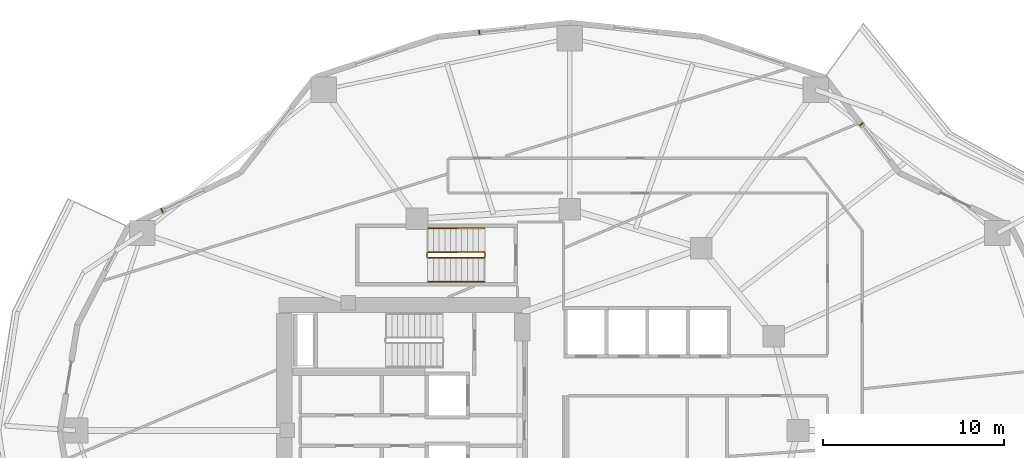
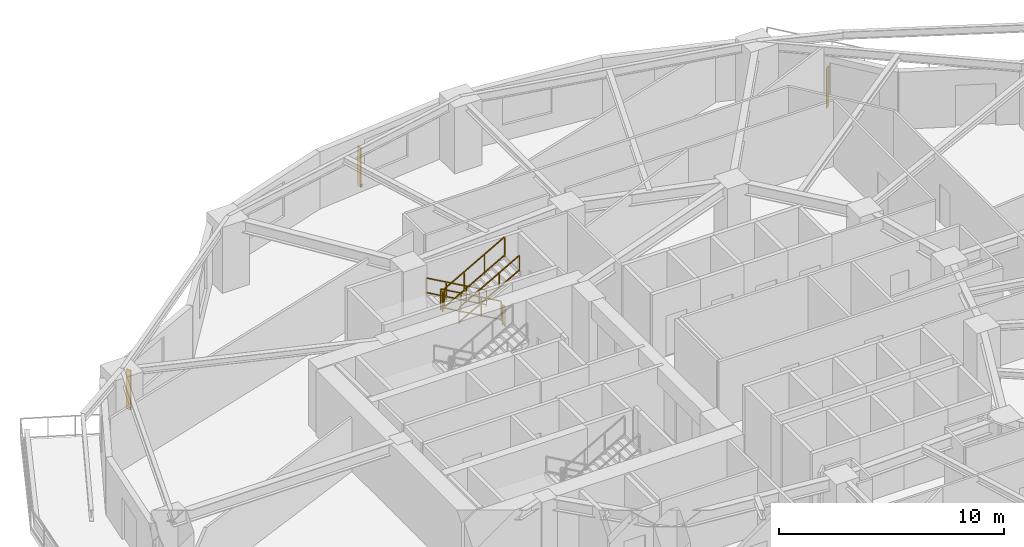
# One storey, part 13 of 14: 6 railings, 3 shading devices.
"""IFC4 building model written with IfcOpenShell, lengths in metres."""

import ifcopenshell
import ifcopenshell.guid

model = None  # the IFC model being written
_history = None  # IfcOwnerHistory: only IFC2X3 demands one
_inside = {}  # id of a spatial element -> (the spatial element, [elements in it])
_under = {}  # id of a project, library or spatial element -> (it, [spatial elements below it])
_declared = {}  # id of a project -> (the project, [libraries it declares])
_typed = {}  # id of a type object -> (the type object, [elements of that type])
_made_of = {}  # id of a material, layer set ... -> (it, [elements and type objects made of it])


def new_model(schema):
    """Start an empty IFC model of exactly this schema.

    Asked for "IFC4X3", IfcOpenShell would pick the latest addendum, in which some entities
    have other attributes; the version numbers below select the first issue.
    IFC2X3 requires an IfcOwnerHistory on every rooted entity: one is made here for all.
    """
    global model, _history
    if schema == "IFC4X3":
        model = ifcopenshell.file(schema_version=(4, 3, 0, 0))
    else:
        model = ifcopenshell.file(schema=schema)
    _inside.clear()
    _under.clear()
    _declared.clear()
    _typed.clear()
    _made_of.clear()
    _history = None
    if model.schema == "IFC2X3":
        org = make("IfcOrganization", Name="unknown")
        user = make(
            "IfcPersonAndOrganization",
            ThePerson=make("IfcPerson", FamilyName="unknown"),
            TheOrganization=org,
        )
        app = make(
            "IfcApplication",
            ApplicationDeveloper=org,
            Version="unknown",
            ApplicationFullName="unknown",
            ApplicationIdentifier="unknown",
        )
        _history = make(
            "IfcOwnerHistory",
            OwningUser=user,
            OwningApplication=app,
            ChangeAction="ADDED",
            CreationDate=0,
        )
    return model


def make(cls, **values):
    """One entity of the class cls with the attributes given. An attribute that is None is left unset."""
    return model.create_entity(
        cls, **{name: value for name, value in values.items() if value is not None}
    )


def rooted(cls, **values):
    """An entity with a GlobalId (a new one), such as an element, a storey or a relation."""
    return make(cls, GlobalId=ifcopenshell.guid.new(), OwnerHistory=_history, **values)


def si_unit(unit_type, name, prefix=None):
    """IfcSIUnit, for example si_unit("LENGTHUNIT", "METRE", prefix="MILLI")."""
    return make("IfcSIUnit", UnitType=unit_type, Prefix=prefix, Name=name)


def assignment(units):
    """IfcUnitAssignment: the units of a project."""
    return None if units is None else make("IfcUnitAssignment", Units=units)


def point(xyz):
    """IfcCartesianPoint."""
    return None if xyz is None else make("IfcCartesianPoint", Coordinates=xyz)


def direction(xyz):
    """IfcDirection."""
    return None if xyz is None else make("IfcDirection", DirectionRatios=xyz)


def frame(location, z_axis=None, x_axis=None):
    """IfcAxis2Placement3D, a coordinate frame: its origin and axes. An axis left out is left unset."""
    return make(
        "IfcAxis2Placement3D",
        Location=point(location),
        Axis=direction(z_axis),
        RefDirection=direction(x_axis),
    )


def frame_2d(location, x_axis=None):
    """IfcAxis2Placement2D, a coordinate frame in the plane: its origin and x axis."""
    return make(
        "IfcAxis2Placement2D", Location=point(location), RefDirection=direction(x_axis)
    )


def origin():
    """The frame at (0, 0, 0) with its axes left unset."""
    return frame((0.0, 0.0, 0.0))


def origin_2d():
    """The frame at (0, 0) in the plane with its x axis left unset."""
    return frame_2d((0.0, 0.0))


def place(relative_to, where):
    """IfcLocalPlacement: puts the frame where relative to a parent placement (None: the world)."""
    return make(
        "IfcLocalPlacement", PlacementRelTo=relative_to, RelativePlacement=where
    )


def context(
    kind, dimensions, precision=None, world=None, true_north=None, identifier=None
):
    """IfcGeometricRepresentationContext, for example the 3D "Model" context."""
    return make(
        "IfcGeometricRepresentationContext",
        ContextIdentifier=identifier,
        ContextType=kind,
        CoordinateSpaceDimension=dimensions,
        Precision=precision,
        WorldCoordinateSystem=world,
        TrueNorth=true_north,
    )


def subcontext(parent, identifier, kind, view, scale=None):
    """IfcGeometricRepresentationSubContext, for example "Body" below "Model"."""
    return make(
        "IfcGeometricRepresentationSubContext",
        ContextIdentifier=identifier,
        ContextType=kind,
        ParentContext=parent,
        TargetScale=scale,
        TargetView=view,
    )


def project(units=None, contexts=None):
    """IfcProject with its units and contexts."""
    return rooted(
        "IfcProject",
        Name="project",
        RepresentationContexts=contexts,
        UnitsInContext=assignment(units),
    )


def spatial(cls, under=None, at=None, **own):
    """A site, building, storey or space (cls), placed at a placement, below another one or the project."""
    s = rooted(cls, ObjectPlacement=at, **own)
    if under is not None:
        _under.setdefault(under.id(), (under, []))[1].append(s)
    return s


def profile(cls, at=None, kind="AREA", **sizes):
    """A parametric profile (cls). Its sizes go by their IFC names, for example OverallWidth=200.0."""
    return make(cls, ProfileType=kind, Position=at, **sizes)


def rectangle(**sizes):
    """IfcRectangleProfileDef."""
    return profile("IfcRectangleProfileDef", **sizes)


def extrude(swept, where, along, depth):
    """IfcExtrudedAreaSolid: the profile swept, set in the frame where, extruded along a direction by depth."""
    return make(
        "IfcExtrudedAreaSolid",
        SweptArea=swept,
        Position=where,
        ExtrudedDirection=direction(along),
        Depth=depth,
    )


def shape(context_of_items, identifier, shape_type, items):
    """IfcShapeRepresentation: the items that make up one representation, for example the "Body"."""
    return make(
        "IfcShapeRepresentation",
        ContextOfItems=context_of_items,
        RepresentationIdentifier=identifier,
        RepresentationType=shape_type,
        Items=items,
    )


def material(Name=None, Category=None):
    """IfcMaterial."""
    return make("IfcMaterial", Name=Name, Category=Category)


def made_of(thing, what):
    """Note that an element or type object is made of a material, layer set ...; save() writes the relation."""
    if what is not None:
        _made_of.setdefault(what.id(), (what, []))[1].append(thing)
    return thing


def type_object(cls, material=None, **own):
    """A type object (cls), such as IfcWallType, which elements share."""
    return made_of(rooted(cls, **own), material)


def element(
    cls,
    number,
    at=None,
    inside=None,
    cuts=None,
    type_object=None,
    material=None,
    context=None,
    identifier="Body",
    shape_type=None,
    held_by="IfcProductDefinitionShape",
    body=None,
    shapes=None,
    **own,
):
    """One element of the class cls, such as IfcWall. Its Tag is "e" and its number.

    at: its placement. inside: the storey or other place that contains it. cuts: it is an
    opening in that element (IfcRelVoidsElement). A single representation is given by context,
    identifier, shape_type and body (its items); several are given by shapes. held_by: the class
    of the entity that holds the representations. save() writes the other relations.
    """
    e = rooted(cls, Tag="e%d" % number, ObjectPlacement=at, **own)
    if body is not None:
        shapes = [shape(context, identifier, shape_type, body)]
    if shapes is not None:
        e.Representation = make(held_by, Representations=shapes)
    if inside is not None:
        _inside.setdefault(inside.id(), (inside, []))[1].append(e)
    if cuts is not None:
        rooted(
            "IfcRelVoidsElement", RelatingBuildingElement=cuts, RelatedOpeningElement=e
        )
    if type_object is not None:
        _typed.setdefault(type_object.id(), (type_object, []))[1].append(e)
    return made_of(e, material)


def aggregate(whole, parts):
    """IfcRelAggregates: a whole, such as a stair, and the parts it consists of."""
    return rooted("IfcRelAggregates", RelatingObject=whole, RelatedObjects=parts)


def save(model, path):
    """Write the relations noted so far, then the file.

    IfcRelAggregates (storeys below a building ...), IfcRelContainedInSpatialStructure (elements
    in a storey), IfcRelDefinesByType, IfcRelAssociatesMaterial and IfcRelDeclares: one each for
    every whole, place, type object, material and project.
    """
    for whole, parts in _under.values():
        aggregate(whole, parts)
    for where, things in _inside.values():
        rooted(
            "IfcRelContainedInSpatialStructure",
            RelatedElements=things,
            RelatingStructure=where,
        )
    for kind, things in _typed.values():
        rooted("IfcRelDefinesByType", RelatedObjects=things, RelatingType=kind)
    for what, things in _made_of.values():
        rooted("IfcRelAssociatesMaterial", RelatedObjects=things, RelatingMaterial=what)
    for by, libraries in _declared.values():
        rooted("IfcRelDeclares", RelatingContext=by, RelatedDefinitions=libraries)
    model.write(path)


model = new_model("IFC4")

# Units and contexts
model_context = context("Model", 3, precision=1e-05, world=origin(), true_north=direction((0.0, 1.0)))
body_context = subcontext(model_context, "Body", "Model", "MODEL_VIEW")
ifc_project = project(units=[si_unit("LENGTHUNIT", "METRE"), si_unit("AREAUNIT", "SQUARE_METRE"), si_unit("VOLUMEUNIT", "CUBIC_METRE"), si_unit("PLANEANGLEUNIT", "RADIAN"), si_unit("MASSUNIT", "GRAM", prefix="KILO")], contexts=[model_context])

# Site, building, storey
site_placement = place(None, origin())
site = spatial("IfcSite", under=ifc_project, at=site_placement, CompositionType="ELEMENT")
building_placement = place(site_placement, origin())
building = spatial("IfcBuilding", under=site, at=building_placement, Name="Kolvaren Gate Tower and Convention Centre", CompositionType="ELEMENT")
storey_placement = place(building_placement, frame((0.0, 0.0, 41.89990234375)))
storey = spatial("IfcBuildingStorey", under=building, at=storey_placement, Name="L09", CompositionType="ELEMENT", Elevation=41.89990234375)

# Railings
ifc_material_1 = material(Name="Brushed Stainless Steel Grade 316L", Category="steel")
railing_type_1 = type_object("IfcRailingType", Name="ARCH-RL-GUARD-1150", PredefinedType="GUARDRAIL", material=ifc_material_1)
railing_1_placement = place(storey_placement, frame((25.39990234375, 36.830078125, 0.175048828125)))
element("IfcRailing", 1, at=railing_1_placement, inside=storey, type_object=railing_type_1, Name="L09 ST-T3 stair guard 1", PredefinedType="GUARDRAIL", context=body_context, shape_type="SweptSolid", body=[
    extrude(rectangle(XDim=0.048095703125, YDim=0.048095703125, at=origin_2d()), frame((0.0, 0.0, 1.076171875), z_axis=(-0.870814364268, 0.0, 0.491611984175), x_axis=(0.0, -1.0, 0.0)), (0.0, 0.0, 1.0), 3.559814453125),
    extrude(rectangle(XDim=0.048095703125, YDim=0.048095703125, at=origin_2d()), frame((0.0, 0.0, 0.083984375), z_axis=(-0.870814364268, 0.0, 0.491611984175), x_axis=(0.0, -1.0, 0.0)), (0.0, 0.0, 1.0), 3.559814453125),
    extrude(rectangle(XDim=0.0419921875, YDim=0.0419921875, at=origin_2d()), origin(), (0.0, 0.0, 1.0), 1.050048828125),
    extrude(rectangle(XDim=0.0419921875, YDim=0.0419921875, at=origin_2d()), frame((-3.099853515625, 0.0, 1.75)), (0.0, 0.0, 1.0), 1.050048828125),
    extrude(rectangle(XDim=0.0419921875, YDim=0.0419921875, at=origin_2d()), frame((-1.033203125, 0.0, 0.583251953125)), (0.0, 0.0, 1.0), 1.050048828125),
    extrude(rectangle(XDim=0.0419921875, YDim=0.0419921875, at=origin_2d()), frame((-2.066650390625, 0.0, 1.166748046875)), (0.0, 0.0, 1.0), 1.050048828125),
])
railing_2_placement = place(storey_placement, frame((22.25, 36.780029296875, 1.925048828125)))
element("IfcRailing", 2, at=railing_2_placement, inside=storey, type_object=railing_type_1, Name="L09 ST-T3 stair guard 2", PredefinedType="GUARDRAIL", context=body_context, shape_type="SweptSolid", body=[
    extrude(rectangle(XDim=0.048095703125, YDim=0.048095703125, at=origin_2d()), frame((0.0, 0.0, 1.076171875), z_axis=(0.0, -1.0, 0.0), x_axis=(1.0, 0.0, 0.0)), (0.0, 0.0, 1.0), 0.199951171875),
    extrude(rectangle(XDim=0.048095703125, YDim=0.048095703125, at=origin_2d()), frame((0.0, 0.0, 0.083984375), z_axis=(0.0, -1.0, 0.0), x_axis=(1.0, 0.0, 0.0)), (0.0, 0.0, 1.0), 0.199951171875),
    extrude(rectangle(XDim=0.0419921875, YDim=0.0419921875, at=origin_2d()), origin(), (0.0, 0.0, 1.0), 1.050048828125),
    extrude(rectangle(XDim=0.0419921875, YDim=0.0419921875, at=origin_2d()), frame((0.0, -0.199951171875, 0.0)), (0.0, 0.0, 1.0), 1.050048828125),
])
railing_3_placement = place(storey_placement, frame((22.300048828125, 36.530029296875, 2.10009765625)))
element("IfcRailing", 3, at=railing_3_placement, inside=storey, type_object=railing_type_1, Name="L09 ST-T3 stair guard 3", PredefinedType="GUARDRAIL", context=body_context, shape_type="SweptSolid", body=[
    extrude(rectangle(XDim=0.048095703125, YDim=0.048095703125, at=origin_2d()), frame((0.0, 0.0, 1.076171875), z_axis=(0.870814364268, 0.0, 0.491611984175), x_axis=(0.0, 1.0, 0.0)), (0.0, 0.0, 1.0), 3.559814453125),
    extrude(rectangle(XDim=0.048095703125, YDim=0.048095703125, at=origin_2d()), frame((0.0, 0.0, 0.083984375), z_axis=(0.870814364268, 0.0, 0.491611984175), x_axis=(0.0, 1.0, 0.0)), (0.0, 0.0, 1.0), 3.559814453125),
    extrude(rectangle(XDim=0.0419921875, YDim=0.0419921875, at=origin_2d()), origin(), (0.0, 0.0, 1.0), 1.050048828125),
    extrude(rectangle(XDim=0.0419921875, YDim=0.0419921875, at=origin_2d()), frame((3.099853515625, 0.0, 1.75)), (0.0, 0.0, 1.0), 1.050048828125),
    extrude(rectangle(XDim=0.0419921875, YDim=0.0419921875, at=origin_2d()), frame((1.033203125, 0.0, 0.583251953125)), (0.0, 0.0, 1.0), 1.050048828125),
    extrude(rectangle(XDim=0.0419921875, YDim=0.0419921875, at=origin_2d()), frame((2.066650390625, 0.0, 1.166748046875)), (0.0, 0.0, 1.0), 1.050048828125),
])
railing_4_placement = place(storey_placement, frame((25.449951171875, 36.780029296875, 0.0)))
element("IfcRailing", 4, at=railing_4_placement, inside=storey, type_object=railing_type_1, Name="L09 ST-T3 stair guard 4", PredefinedType="GUARDRAIL", context=body_context, shape_type="SweptSolid", body=[
    extrude(rectangle(XDim=0.048095703125, YDim=0.048095703125, at=origin_2d()), frame((0.0, 0.0, 1.076171875), z_axis=(0.0, -1.0, 0.0), x_axis=(1.0, 0.0, 0.0)), (0.0, 0.0, 1.0), 0.199951171875),
    extrude(rectangle(XDim=0.048095703125, YDim=0.048095703125, at=origin_2d()), frame((0.0, 0.0, 0.083984375), z_axis=(0.0, -1.0, 0.0), x_axis=(1.0, 0.0, 0.0)), (0.0, 0.0, 1.0), 0.199951171875),
    extrude(rectangle(XDim=0.0419921875, YDim=0.0419921875, at=origin_2d()), origin(), (0.0, 0.0, 1.0), 1.050048828125),
    extrude(rectangle(XDim=0.0419921875, YDim=0.0419921875, at=origin_2d()), frame((0.0, -0.199951171875, 0.0)), (0.0, 0.0, 1.0), 1.050048828125),
])
railing_type_2 = type_object("IfcRailingType", Name="ARCH-RL-HANDRAIL-920", PredefinedType="HANDRAIL", material=ifc_material_1)
railing_5_placement = place(storey_placement, frame((25.39990234375, 38.14990234375, 0.175048828125)))
element("IfcRailing", 5, at=railing_5_placement, inside=storey, type_object=railing_type_2, Name="L09 ST-T3 stair handrail 1", PredefinedType="HANDRAIL", context=body_context, shape_type="SweptSolid", body=[
    extrude(rectangle(XDim=0.048095703125, YDim=0.048095703125, at=origin_2d()), frame((0.0, 0.0, 0.8759765625), z_axis=(-0.870814364268, 0.0, 0.491611984175), x_axis=(0.0, -1.0, 0.0)), (0.0, 0.0, 1.0), 3.559814453125),
    extrude(rectangle(XDim=0.048095703125, YDim=0.048095703125, at=origin_2d()), frame((0.0, 0.0, 0.083984375), z_axis=(-0.870814364268, 0.0, 0.491611984175), x_axis=(0.0, -1.0, 0.0)), (0.0, 0.0, 1.0), 3.559814453125),
    extrude(rectangle(XDim=0.0419921875, YDim=0.0419921875, at=origin_2d()), origin(), (0.0, 0.0, 1.0), 0.849853515625),
    extrude(rectangle(XDim=0.0419921875, YDim=0.0419921875, at=origin_2d()), frame((-3.099853515625, 0.0, 1.75)), (0.0, 0.0, 1.0), 0.849853515625),
    extrude(rectangle(XDim=0.0419921875, YDim=0.0419921875, at=origin_2d()), frame((-1.033203125, 0.0, 0.583251953125)), (0.0, 0.0, 1.0), 0.849853515625),
    extrude(rectangle(XDim=0.0419921875, YDim=0.0419921875, at=origin_2d()), frame((-2.066650390625, 0.0, 1.166748046875)), (0.0, 0.0, 1.0), 0.849853515625),
])
railing_6_placement = place(storey_placement, frame((22.300048828125, 35.2099609375, 2.10009765625)))
element("IfcRailing", 6, at=railing_6_placement, inside=storey, type_object=railing_type_2, Name="L09 ST-T3 stair handrail 2", PredefinedType="HANDRAIL", context=body_context, shape_type="SweptSolid", body=[
    extrude(rectangle(XDim=0.048095703125, YDim=0.048095703125, at=origin_2d()), frame((0.0, 0.0, 0.8759765625), z_axis=(0.870814364268, 0.0, 0.491611984175), x_axis=(0.0, 1.0, 0.0)), (0.0, 0.0, 1.0), 3.559814453125),
    extrude(rectangle(XDim=0.048095703125, YDim=0.048095703125, at=origin_2d()), frame((0.0, 0.0, 0.083984375), z_axis=(0.870814364268, 0.0, 0.491611984175), x_axis=(0.0, 1.0, 0.0)), (0.0, 0.0, 1.0), 3.559814453125),
    extrude(rectangle(XDim=0.0419921875, YDim=0.0419921875, at=origin_2d()), origin(), (0.0, 0.0, 1.0), 0.849853515625),
    extrude(rectangle(XDim=0.0419921875, YDim=0.0419921875, at=origin_2d()), frame((3.099853515625, 0.0, 1.75)), (0.0, 0.0, 1.0), 0.849853515625),
    extrude(rectangle(XDim=0.0419921875, YDim=0.0419921875, at=origin_2d()), frame((1.033203125, 0.0, 0.583251953125)), (0.0, 0.0, 1.0), 0.849853515625),
    extrude(rectangle(XDim=0.0419921875, YDim=0.0419921875, at=origin_2d()), frame((2.066650390625, 0.0, 1.166748046875)), (0.0, 0.0, 1.0), 0.849853515625),
])

# Shading devices
ifc_material_2 = material(Name="Kiln-Fired Bogota Terracotta Ceramic Louvre Profile", Category="masonry")
shading_device_type = type_object("IfcShadingDeviceType", Name="ARCH-SHD-FIN-180", PredefinedType="JALOUSIE", material=ifc_material_2)
for number, where, z_axis, x_axis, name in (
    (7, (46.215576171875, 43.89501953125, 0.22021484375), (0.0, 0.0, 1.0), (0.616424499081, -0.787414018756, 0.0), "Ceramic Vertical Brise-Soleil Fin FN-L09-03"),
    (8, (25.133056640625, 48.97412109375, 0.22021484375), (0.0, 0.0, 1.0), (0.994498884311, 0.104747167526, 0.0), "Ceramic Vertical Brise-Soleil Fin FN-L09-06"),
    (9, (7.625732421875, 39.142578125, 0.22021484375), (0.0, 0.0, 1.0), (0.90136443672, 0.433061372343, 0.0), "Ceramic Vertical Brise-Soleil Fin FN-L09-09"),
):
    element("IfcShadingDevice", number, at=place(storey_placement, frame(where, z_axis=z_axis, x_axis=x_axis)), inside=storey, type_object=shading_device_type, Name=name, PredefinedType="JALOUSIE", context=body_context, shape_type="SweptSolid", body=[
        extrude(rectangle(XDim=0.06005859375, YDim=0.239990234375, at=origin_2d()), origin(), (0.0, 0.0, 1.0), 2.14990234375),
    ])

save(model, "model.ifc")
